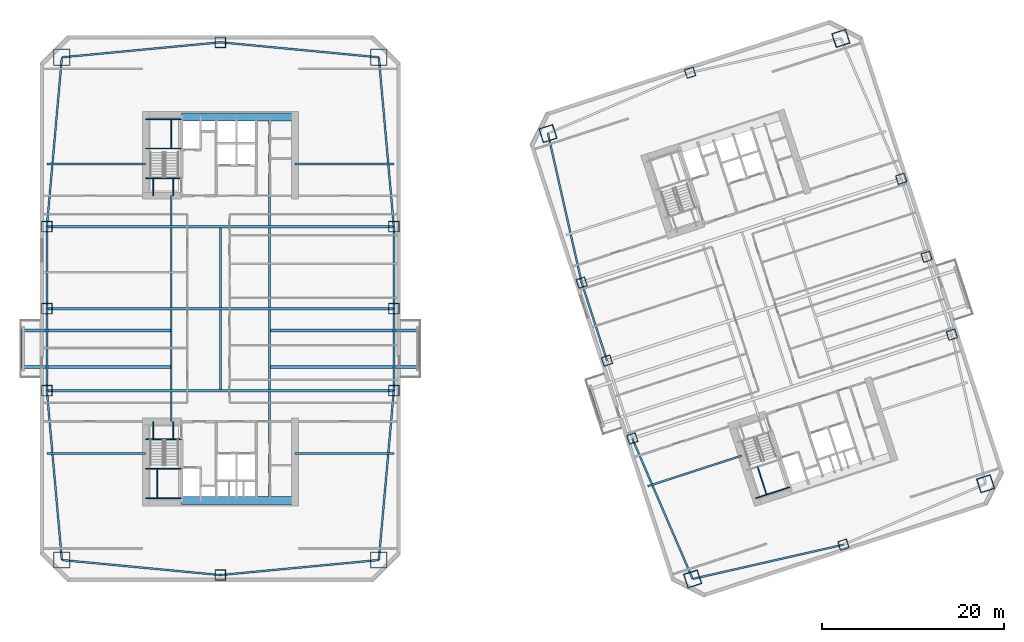
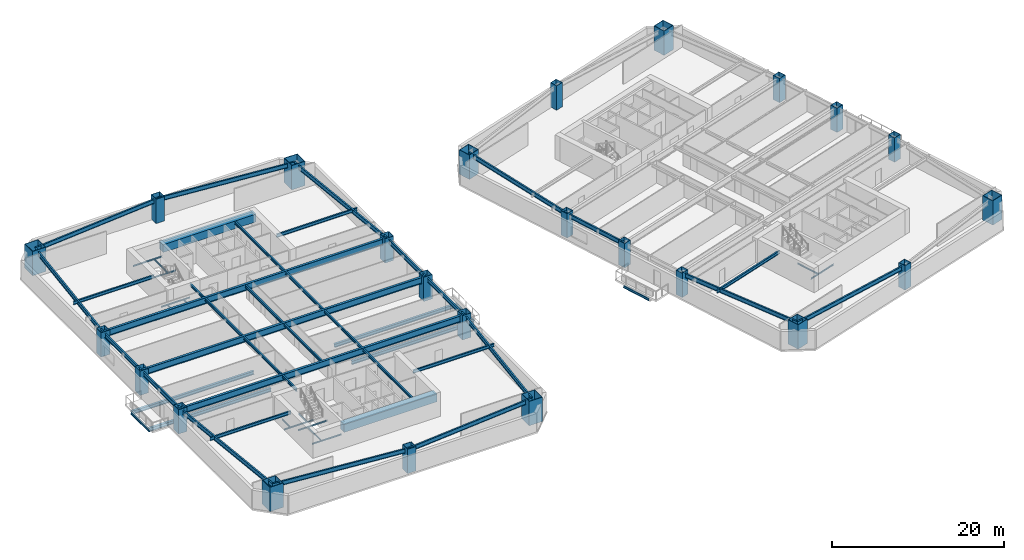
# One storey, part 1 of 15: 57 beams, 24 columns.
"""IFC4 building model written with IfcOpenShell, lengths in metres."""

from ifc_helpers import new_model, si_unit, direction, frame, origin, origin_2d, place, context, subcontext, project, spatial, rectangle, hollow_rectangle, i_section, extrude, material, material_profile, profile_set, type_object, element, save


model = new_model("IFC4")

# Units and contexts
model_context = context("Model", 3, precision=1e-05, world=origin(), true_north=direction((0.0, 1.0)))
body_context = subcontext(model_context, "Body", "Model", "MODEL_VIEW")
ifc_project = project(units=[si_unit("LENGTHUNIT", "METRE"), si_unit("AREAUNIT", "SQUARE_METRE"), si_unit("VOLUMEUNIT", "CUBIC_METRE"), si_unit("PLANEANGLEUNIT", "RADIAN"), si_unit("MASSUNIT", "GRAM", prefix="KILO")], contexts=[model_context])

# Site, building, storey
site_placement = place(None, origin())
site = spatial("IfcSite", under=ifc_project, at=site_placement, CompositionType="ELEMENT")
building_placement = place(site_placement, origin())
building = spatial("IfcBuilding", under=site, at=building_placement, Name="Qiaolan Cultural Towers", CompositionType="ELEMENT")
storey_placement = place(building_placement, frame((0.0, 0.0, 60.949951171875)))
storey = spatial("IfcBuildingStorey", under=building, at=storey_placement, Name="L14", CompositionType="ELEMENT", Elevation=60.949951171875)

# Columns
ifc_material_1 = material(Name="Steel Q355B", Category="steel")
ifc_material_profile_1 = material_profile(ifc_material_1, hollow_rectangle(XDim=1.0, YDim=1.0, WallThickness=0.035888671875, at=origin_2d()), Name="BOX1000x1000x36")
ifc_profile_set_1 = profile_set([ifc_material_profile_1], Name="Steel Q355B")
column_type_1 = type_object("IfcColumnType", Name="COL-BOX1000x1000x36", PredefinedType="COLUMN", material=ifc_profile_set_1)
for number, where, z_axis, x_axis, name in (
    (1, (75.234130859375, 19.739013671875, 0.0), (0.0, 0.0, 1.0), (0.951056516295, 0.309016994375, 0.0), "L14 T2 Perimeter Column PC-W1"),
    (2, (72.453125, 28.298583984375, 0.0), (0.0, 0.0, 1.0), (0.951056516295, 0.309016994375, 0.0), "L14 T2 Perimeter Column PC-W2"),
    (3, (69.671875, 36.858154296875, 0.0), (0.0, 0.0, 1.0), (0.951056516295, 0.309016994375, 0.0), "L14 T2 Perimeter Column PC-W3"),
    (4, (110.328125, 31.141845703125, 0.0), (0.0, 0.0, 1.0), (0.951056516295, 0.309016994375, 0.0), "L14 T2 Perimeter Column PC-E1"),
    (5, (107.546875, 39.701416015625, 0.0), (0.0, 0.0, 1.0), (0.951056516295, 0.309016994375, 0.0), "L14 T2 Perimeter Column PC-E2"),
    (6, (104.765869140625, 48.260986328125, 0.0), (0.0, 0.0, 1.0), (0.951056516295, 0.309016994375, 0.0), "L14 T2 Perimeter Column PC-E3"),
    (7, (98.420654296875, 8.083740234375, 0.0), (0.0, 0.0, 1.0), (0.951056516295, 0.309016994375, 0.0), "L14 T2 Perimeter Column PC-S0"),
    (8, (81.579345703125, 59.916259765625, 0.0), (0.0, 0.0, 1.0), (0.951056516295, 0.309016994375, 0.0), "L14 T2 Perimeter Column PC-N0"),
):
    element("IfcColumn", number, at=place(storey_placement, frame(where, z_axis=z_axis, x_axis=x_axis)), inside=storey, type_object=column_type_1, Name=name, PredefinedType="COLUMN", context=body_context, shape_type="SweptSolid", body=[
        extrude(hollow_rectangle(XDim=1.0, YDim=1.0, WallThickness=0.035888671875, at=origin_2d()), origin(), (0.0, 0.0, 1.0), 3.450927734375),
    ])
ifc_material_2 = material(Name="Steel Q390GJB", Category="steel")
ifc_material_profile_2 = material_profile(ifc_material_2, hollow_rectangle(XDim=1.14990234375, YDim=1.14990234375, WallThickness=0.0400390625, at=origin_2d()), Name="BOX1150x1150x40")
ifc_profile_set_2 = profile_set([ifc_material_profile_2], Name="Steel Q390GJB")
column_type_2 = type_object("IfcColumnType", Name="COL-BOX1150x1150x40", PredefinedType="COLUMN", material=ifc_profile_set_2)
for number, where, z_axis, x_axis, name in (
    (9, (10.949951171875, 25.0, 0.0), (0.0, 0.0, 1.0), (1.0, 0.0, 0.0), "L14 T1 Perimeter Column PC-W1"),
    (10, (10.949951171875, 34.0, 0.0), (0.0, 0.0, 1.0), (1.0, 0.0, 0.0), "L14 T1 Perimeter Column PC-W2"),
    (11, (10.949951171875, 43.0, 0.0), (0.0, 0.0, 1.0), (1.0, 0.0, 0.0), "L14 T1 Perimeter Column PC-W3"),
    (12, (49.050048828125, 25.0, 0.0), (0.0, 0.0, 1.0), (1.0, 0.0, 0.0), "L14 T1 Perimeter Column PC-E1"),
    (13, (49.050048828125, 34.0, 0.0), (0.0, 0.0, 1.0), (1.0, 0.0, 0.0), "L14 T1 Perimeter Column PC-E2"),
    (14, (49.050048828125, 43.0, 0.0), (0.0, 0.0, 1.0), (1.0, 0.0, 0.0), "L14 T1 Perimeter Column PC-E3"),
    (15, (30.0, 4.75, 0.0), (0.0, 0.0, 1.0), (1.0, 0.0, 0.0), "L14 T1 Perimeter Column PC-S0"),
    (16, (30.0, 63.25, 0.0), (0.0, 0.0, 1.0), (1.0, 0.0, 0.0), "L14 T1 Perimeter Column PC-N0"),
):
    element("IfcColumn", number, at=place(storey_placement, frame(where, z_axis=z_axis, x_axis=x_axis)), inside=storey, type_object=column_type_2, Name=name, PredefinedType="COLUMN", context=body_context, shape_type="SweptSolid", body=[
        extrude(hollow_rectangle(XDim=1.14990234375, YDim=1.14990234375, WallThickness=0.0400390625, at=origin_2d()), origin(), (0.0, 0.0, 1.0), 3.450927734375),
    ])
ifc_material_3 = material(Name="Steel Q420GJB", Category="steel")
ifc_material_profile_3 = material_profile(ifc_material_3, hollow_rectangle(XDim=1.60009765625, YDim=1.60009765625, WallThickness=0.054931640625, at=origin_2d()), Name="BOX1600x1600x55")
ifc_profile_set_3 = profile_set([ifc_material_profile_3], Name="Steel Q420GJB")
column_type_3 = type_object("IfcColumnType", Name="COL-BOX1600x1600x55", PredefinedType="COLUMN", material=ifc_profile_set_3)
for number, where, z_axis, x_axis, name in (
    (17, (81.862548828125, 4.32275390625, 0.0), (0.0, 0.0, 1.0), (0.951056516295, 0.309016994375, 0.0), "L14 T2 Perimeter Column MC-SW"),
    (18, (114.027099609375, 14.77392578125, 0.0), (0.0, 0.0, 1.0), (0.951056516295, 0.309016994375, 0.0), "L14 T2 Perimeter Column MC-SE"),
    (19, (98.137451171875, 63.67724609375, 0.0), (0.0, 0.0, 1.0), (0.951056516295, 0.309016994375, 0.0), "L14 T2 Perimeter Column MC-NE"),
    (20, (65.972900390625, 53.22607421875, 0.0), (0.0, 0.0, 1.0), (0.951056516295, 0.309016994375, 0.0), "L14 T2 Perimeter Column MC-NW"),
):
    element("IfcColumn", number, at=place(storey_placement, frame(where, z_axis=z_axis, x_axis=x_axis)), inside=storey, type_object=column_type_3, Name=name, PredefinedType="COLUMN", context=body_context, shape_type="SweptSolid", body=[
        extrude(hollow_rectangle(XDim=1.60009765625, YDim=1.60009765625, WallThickness=0.054931640625, at=origin_2d()), origin(), (0.0, 0.0, 1.0), 3.450927734375),
    ])
ifc_material_4 = material(Name="Steel Q420GJB", Category="steel")
ifc_material_profile_4 = material_profile(ifc_material_4, hollow_rectangle(XDim=1.800048828125, YDim=1.800048828125, WallThickness=0.06005859375, at=origin_2d()), Name="BOX1800x1800x60")
ifc_profile_set_4 = profile_set([ifc_material_profile_4], Name="Steel Q420GJB")
column_type_4 = type_object("IfcColumnType", Name="COL-BOX1800x1800x60", PredefinedType="COLUMN", material=ifc_profile_set_4)
for number, where, z_axis, x_axis, name in (
    (21, (12.60009765625, 6.39990234375, 0.0), (0.0, 0.0, 1.0), (1.0, 0.0, 0.0), "L14 T1 Perimeter Column MC-SW"),
    (22, (47.39990234375, 6.39990234375, 0.0), (0.0, 0.0, 1.0), (1.0, 0.0, 0.0), "L14 T1 Perimeter Column MC-SE"),
    (23, (47.39990234375, 61.60009765625, 0.0), (0.0, 0.0, 1.0), (1.0, 0.0, 0.0), "L14 T1 Perimeter Column MC-NE"),
    (24, (12.60009765625, 61.60009765625, 0.0), (0.0, 0.0, 1.0), (1.0, 0.0, 0.0), "L14 T1 Perimeter Column MC-NW"),
):
    element("IfcColumn", number, at=place(storey_placement, frame(where, z_axis=z_axis, x_axis=x_axis)), inside=storey, type_object=column_type_4, Name=name, PredefinedType="COLUMN", context=body_context, shape_type="SweptSolid", body=[
        extrude(hollow_rectangle(XDim=1.800048828125, YDim=1.800048828125, WallThickness=0.06005859375, at=origin_2d()), origin(), (0.0, 0.0, 1.0), 3.450927734375),
    ])

# Beams
ifc_material_5 = material(Name="Steel Q355B", Category="steel")
ifc_material_profile_5 = material_profile(ifc_material_5, i_section(OverallWidth=0.300048828125, OverallDepth=0.488037109375, WebThickness=0.010986328125, FlangeThickness=0.01806640625, at=origin_2d()), Name="HM488x300x11x18")
ifc_profile_set_5 = profile_set([ifc_material_profile_5], Name="Steel Q355B")
beam_type_1 = type_object("IfcBeamType", Name="BM-HM488x300x11x18", PredefinedType="BEAM", material=ifc_profile_set_5)
for number, where, z_axis, x_axis, name in (
    (25, (24.60009765625, 27.60009765625, -0.52392578125), (-1.0, 0.0, 0.0), (0.0, -1.0, 0.0), "L14 T1 Tree Balcony Back-Spanned Bracket Beam"),
    (26, (24.60009765625, 31.60009765625, -0.52392578125), (-1.0, 0.0, 0.0), (0.0, -1.0, 0.0), "L14 T1 Tree Balcony Back-Spanned Bracket Beam"),
    (27, (35.39990234375, 27.60009765625, -0.52392578125), (1.0, 0.0, 0.0), (0.0, 1.0, 0.0), "L14 T1 Tree Balcony Back-Spanned Bracket Beam"),
    (28, (35.39990234375, 31.60009765625, -0.52392578125), (1.0, 0.0, 0.0), (0.0, 1.0, 0.0), "L14 T1 Tree Balcony Back-Spanned Bracket Beam"),
):
    element("IfcBeam", number, at=place(storey_placement, frame(where, z_axis=z_axis, x_axis=x_axis)), inside=storey, type_object=beam_type_1, Name=name, PredefinedType="BEAM", context=body_context, shape_type="SweptSolid", body=[
        extrude(i_section(OverallWidth=0.300048828125, OverallDepth=0.488037109375, WebThickness=0.010986328125, FlangeThickness=0.01806640625, at=origin_2d()), origin(), (0.0, 0.0, 1.0), 16.4501953125),
    ])
ifc_material_6 = material(Name="Steel Q355B", Category="steel")
ifc_material_profile_6 = material_profile(ifc_material_6, i_section(OverallWidth=0.300048828125, OverallDepth=0.89990234375, WebThickness=0.01611328125, FlangeThickness=0.028076171875, at=origin_2d()), Name="HN900x300x16x28")
ifc_profile_set_6 = profile_set([ifc_material_profile_6], Name="Steel Q355B")
beam_type_2 = type_object("IfcBeamType", Name="BM-HN900x300x16x28", PredefinedType="BEAM", material=ifc_profile_set_6)
for number, where, z_axis, x_axis, name in (
    (29, (10.949951171875, 25.0, 2.739990234375), (1.0, 0.0, 0.0), (0.0, 1.0, 0.0), "L14 T1 Primary Transverse Girder V1"),
    (30, (10.949951171875, 34.0, 2.739990234375), (1.0, 0.0, 0.0), (0.0, 1.0, 0.0), "L14 T1 Primary Transverse Girder V2"),
    (31, (10.949951171875, 43.0, 2.739990234375), (1.0, 0.0, 0.0), (0.0, 1.0, 0.0), "L14 T1 Primary Transverse Girder V3"),
):
    element("IfcBeam", number, at=place(storey_placement, frame(where, z_axis=z_axis, x_axis=x_axis)), inside=storey, type_object=beam_type_2, Name=name, PredefinedType="BEAM", context=body_context, shape_type="SweptSolid", body=[
        extrude(i_section(OverallWidth=0.300048828125, OverallDepth=0.89990234375, WebThickness=0.01611328125, FlangeThickness=0.028076171875, at=origin_2d()), origin(), (0.0, 0.0, 1.0), 38.10009765625),
    ])
ifc_material_7 = material(Name="Steel Q355B", Category="steel")
ifc_material_profile_7 = material_profile(ifc_material_7, i_section(OverallWidth=0.175048828125, OverallDepth=0.35009765625, WebThickness=0.007080078125, FlangeThickness=0.010986328125, at=origin_2d()), Name="HN350x175x7x11")
ifc_profile_set_7 = profile_set([ifc_material_profile_7], Name="Steel Q355B")
beam_type_3 = type_object("IfcBeamType", Name="BM-JST-HN350x175x7x11", PredefinedType="JOIST", material=ifc_profile_set_7)
for number, where, z_axis, x_axis, name in (
    (32, (8.14990234375, 27.60009765625, -0.52392578125), (0.0, 1.0, 0.0), (-1.0, 0.0, 0.0), "L14 T1 Tree Balcony Outer Edge Beam"),
    (33, (51.85009765625, 27.60009765625, -0.52392578125), (0.0, 1.0, 0.0), (-1.0, 0.0, 0.0), "L14 T1 Tree Balcony Outer Edge Beam"),
    (34, (71.767822265625, 21.3466796875, -0.52392578125), (-0.309022586479, 0.951054699292, 0.0), (-0.951054699292, -0.309022586479, 0.0), "L14 T2 Tree Balcony Outer Edge Beam"),
):
    element("IfcBeam", number, at=place(storey_placement, frame(where, z_axis=z_axis, x_axis=x_axis)), inside=storey, type_object=beam_type_3, Name=name, PredefinedType="JOIST", context=body_context, shape_type="SweptSolid", body=[
        extrude(i_section(OverallWidth=0.175048828125, OverallDepth=0.35009765625, WebThickness=0.007080078125, FlangeThickness=0.010986328125, at=origin_2d()), origin(), (0.0, 0.0, 1.0), 4.0),
    ])
ifc_material_8 = material(Name="Steel Q355B", Category="steel")
ifc_material_profile_8 = material_profile(ifc_material_8, i_section(OverallWidth=0.199951171875, OverallDepth=0.39990234375, WebThickness=0.008056640625, FlangeThickness=0.012939453125, at=origin_2d()), Name="HN400x200x8x13")
ifc_profile_set_8 = profile_set([ifc_material_profile_8], Name="Steel Q355B")
beam_type_4 = type_object("IfcBeamType", Name="BM-JST-HN400x200x8x13", PredefinedType="JOIST", material=ifc_profile_set_8)
beam_1_placement = place(storey_placement, frame((24.60009765625, 21.60009765625, 2.989990234375), z_axis=(0.0, 1.0, 0.0), x_axis=(-1.0, 0.0, 0.0)))
element("IfcBeam", 35, at=beam_1_placement, inside=storey, type_object=beam_type_4, Name="L14 T1 Secondary Floor Joist U1-1", PredefinedType="JOIST", context=body_context, shape_type="SweptSolid", body=[
    extrude(i_section(OverallWidth=0.199951171875, OverallDepth=0.39990234375, WebThickness=0.008056640625, FlangeThickness=0.012939453125, at=origin_2d()), origin(), (0.0, 0.0, 1.0), 3.25),
])
for number, where, z_axis, x_axis, name in (
    (36, (24.60009765625, 25.14990234375, 2.989990234375), (0.0, 1.0, 0.0), (-1.0, 0.0, 0.0), "L14 T1 Secondary Floor Joist U1-2"),
    (37, (24.60009765625, 34.14990234375, 2.989990234375), (0.0, 1.0, 0.0), (-1.0, 0.0, 0.0), "L14 T1 Secondary Floor Joist U1-3"),
):
    element("IfcBeam", number, at=place(storey_placement, frame(where, z_axis=z_axis, x_axis=x_axis)), inside=storey, type_object=beam_type_4, Name=name, PredefinedType="JOIST", context=body_context, shape_type="SweptSolid", body=[
        extrude(i_section(OverallWidth=0.199951171875, OverallDepth=0.39990234375, WebThickness=0.008056640625, FlangeThickness=0.012939453125, at=origin_2d()), origin(), (0.0, 0.0, 1.0), 8.7001953125),
    ])
beam_2_placement = place(storey_placement, frame((24.60009765625, 43.14990234375, 2.989990234375), z_axis=(0.0, 1.0, 0.0), x_axis=(-1.0, 0.0, 0.0)))
element("IfcBeam", 38, at=beam_2_placement, inside=storey, type_object=beam_type_4, Name="L14 T1 Secondary Floor Joist U1-4", PredefinedType="JOIST", context=body_context, shape_type="SweptSolid", body=[
    extrude(i_section(OverallWidth=0.199951171875, OverallDepth=0.39990234375, WebThickness=0.008056640625, FlangeThickness=0.012939453125, at=origin_2d()), origin(), (0.0, 0.0, 1.0), 3.25),
])
for number, where, z_axis, x_axis, name in (
    (39, (30.0, 25.14990234375, 2.989990234375), (0.0, 1.0, 0.0), (-1.0, 0.0, 0.0), "L14 T1 Secondary Floor Joist U2-2"),
    (40, (30.0, 34.14990234375, 2.989990234375), (0.0, 1.0, 0.0), (-1.0, 0.0, 0.0), "L14 T1 Secondary Floor Joist U2-3"),
):
    element("IfcBeam", number, at=place(storey_placement, frame(where, z_axis=z_axis, x_axis=x_axis)), inside=storey, type_object=beam_type_4, Name=name, PredefinedType="JOIST", context=body_context, shape_type="SweptSolid", body=[
        extrude(i_section(OverallWidth=0.199951171875, OverallDepth=0.39990234375, WebThickness=0.008056640625, FlangeThickness=0.012939453125, at=origin_2d()), origin(), (0.0, 0.0, 1.0), 8.7001953125),
    ])
beam_3_placement = place(storey_placement, frame((35.39990234375, 13.39990234375, 2.989990234375), z_axis=(0.0, 1.0, 0.0), x_axis=(-1.0, 0.0, 0.0)))
element("IfcBeam", 41, at=beam_3_placement, inside=storey, type_object=beam_type_4, Name="L14 T1 Secondary Floor Joist U3-1", PredefinedType="JOIST", context=body_context, shape_type="SweptSolid", body=[
    extrude(i_section(OverallWidth=0.199951171875, OverallDepth=0.39990234375, WebThickness=0.008056640625, FlangeThickness=0.012939453125, at=origin_2d()), origin(), (0.0, 0.0, 1.0), 11.4501953125),
])
for number, where, z_axis, x_axis, name in (
    (42, (35.39990234375, 25.14990234375, 2.989990234375), (0.0, 1.0, 0.0), (-1.0, 0.0, 0.0), "L14 T1 Secondary Floor Joist U3-2"),
    (43, (35.39990234375, 34.14990234375, 2.989990234375), (0.0, 1.0, 0.0), (-1.0, 0.0, 0.0), "L14 T1 Secondary Floor Joist U3-3"),
):
    element("IfcBeam", number, at=place(storey_placement, frame(where, z_axis=z_axis, x_axis=x_axis)), inside=storey, type_object=beam_type_4, Name=name, PredefinedType="JOIST", context=body_context, shape_type="SweptSolid", body=[
        extrude(i_section(OverallWidth=0.199951171875, OverallDepth=0.39990234375, WebThickness=0.008056640625, FlangeThickness=0.012939453125, at=origin_2d()), origin(), (0.0, 0.0, 1.0), 8.7001953125),
    ])
beam_4_placement = place(storey_placement, frame((35.39990234375, 43.14990234375, 2.989990234375), z_axis=(0.0, 1.0, 0.0), x_axis=(-1.0, 0.0, 0.0)))
element("IfcBeam", 44, at=beam_4_placement, inside=storey, type_object=beam_type_4, Name="L14 T1 Secondary Floor Joist U3-4", PredefinedType="JOIST", context=body_context, shape_type="SweptSolid", body=[
    extrude(i_section(OverallWidth=0.199951171875, OverallDepth=0.39990234375, WebThickness=0.008056640625, FlangeThickness=0.012939453125, at=origin_2d()), origin(), (0.0, 0.0, 1.0), 11.4501953125),
])
ifc_material_9 = material(Name="Steel Q355B", Category="steel")
ifc_material_profile_9 = material_profile(ifc_material_9, i_section(OverallWidth=0.199951171875, OverallDepth=0.449951171875, WebThickness=0.009033203125, FlangeThickness=0.013916015625, at=origin_2d()), Name="HN450x200x9x14")
ifc_profile_set_9 = profile_set([ifc_material_profile_9], Name="Steel Q355B")
beam_type_5 = type_object("IfcBeamType", Name="BM-LNT-HN450x200x9x14", PredefinedType="LINTEL", material=ifc_profile_set_9)
for number, where, z_axis, x_axis, name in (
    (45, (21.800048828125, 18.10009765625, 2.965087890625), (-1.0, 0.0, 0.0), (0.0, -1.0, 0.0), "L14 T1 Core Flank Tie Lintel WS"),
    (46, (21.800048828125, 49.89990234375, 2.965087890625), (-1.0, 0.0, 0.0), (0.0, -1.0, 0.0), "L14 T1 Core Flank Tie Lintel WN"),
    (47, (38.199951171875, 18.10009765625, 2.965087890625), (1.0, 0.0, 0.0), (0.0, 1.0, 0.0), "L14 T1 Core Flank Tie Lintel ES"),
    (48, (38.199951171875, 49.89990234375, 2.965087890625), (1.0, 0.0, 0.0), (0.0, 1.0, 0.0), "L14 T1 Core Flank Tie Lintel EN"),
):
    element("IfcBeam", number, at=place(storey_placement, frame(where, z_axis=z_axis, x_axis=x_axis)), inside=storey, type_object=beam_type_5, Name=name, PredefinedType="LINTEL", context=body_context, shape_type="SweptSolid", body=[
        extrude(i_section(OverallWidth=0.199951171875, OverallDepth=0.449951171875, WebThickness=0.009033203125, FlangeThickness=0.013916015625, at=origin_2d()), origin(), (0.0, 0.0, 1.0), 10.85009765625),
    ])
beam_5_placement = place(storey_placement, frame((87.252685546875, 17.861083984375, 2.965087890625), z_axis=(-0.95105688584, -0.30901585703, 0.0), x_axis=(0.30901585703, -0.95105688584, 0.0)))
element("IfcBeam", 49, at=beam_5_placement, inside=storey, type_object=beam_type_5, Name="L14 T2 Core Flank Tie Lintel WS", PredefinedType="LINTEL", context=body_context, shape_type="SweptSolid", body=[
    extrude(i_section(OverallWidth=0.199951171875, OverallDepth=0.449951171875, WebThickness=0.009033203125, FlangeThickness=0.013916015625, at=origin_2d()), origin(), (0.0, 0.0, 1.0), 10.849853515625),
])
ifc_material_10 = material(Name="Concrete C50", Category="concrete")
ifc_material_profile_10 = material_profile(ifc_material_10, rectangle(XDim=0.89990234375, YDim=1.10009765625, at=origin_2d()), Name="RC900x1100")
ifc_profile_set_10 = profile_set([ifc_material_profile_10], Name="Concrete C50")
beam_type_6 = type_object("IfcBeamType", Name="BM-RC900x1100", PredefinedType="BEAM", material=ifc_profile_set_10)
for number, where, z_axis, x_axis, name in (
    (50, (25.719970703125, 12.949951171875, 2.64013671875), (1.0, 0.0, 0.0), (0.0, 1.0, 0.0), "L14 T1 Core Header Girder S"),
    (51, (25.719970703125, 55.050048828125, 2.64013671875), (1.0, 0.0, 0.0), (0.0, 1.0, 0.0), "L14 T1 Core Header Girder N"),
):
    element("IfcBeam", number, at=place(storey_placement, frame(where, z_axis=z_axis, x_axis=x_axis)), inside=storey, type_object=beam_type_6, Name=name, PredefinedType="BEAM", context=body_context, shape_type="SweptSolid", body=[
        extrude(rectangle(XDim=0.89990234375, YDim=1.10009765625, at=origin_2d()), origin(), (0.0, 0.0, 1.0), 12.47998046875),
    ])
ifc_material_11 = material(Name="Steel Q355B", Category="steel")
ifc_material_profile_11 = material_profile(ifc_material_11, i_section(OverallWidth=0.199951171875, OverallDepth=0.60009765625, WebThickness=0.010986328125, FlangeThickness=0.01708984375, at=origin_2d()), Name="HN600x200x11x17")
ifc_profile_set_11 = profile_set([ifc_material_profile_11], Name="Steel Q355B")
beam_type_7 = type_object("IfcBeamType", Name="BM-SPD-HN600x200x11x17", PredefinedType="SPANDREL", material=ifc_profile_set_11)
for number, where, z_axis, x_axis, name in (
    (52, (12.60009765625, 6.39990234375, 2.89013671875), (0.995534437156, -0.094399070104, 0.0), (0.094399070104, 0.995534437156, 0.0), "L14 T1 Perimeter Spandrel Beam 1"),
    (53, (30.0, 4.75, 2.89013671875), (0.995534437156, 0.094399070104, 0.0), (-0.094399070104, 0.995534437156, 0.0), "L14 T1 Perimeter Spandrel Beam 2"),
):
    element("IfcBeam", number, at=place(storey_placement, frame(where, z_axis=z_axis, x_axis=x_axis)), inside=storey, type_object=beam_type_7, Name=name, PredefinedType="SPANDREL", context=body_context, shape_type="SweptSolid", body=[
        extrude(i_section(OverallWidth=0.199951171875, OverallDepth=0.60009765625, WebThickness=0.010986328125, FlangeThickness=0.01708984375, at=origin_2d()), origin(), (0.0, 0.0, 1.0), 17.47802734375),
    ])
beam_6_placement = place(storey_placement, frame((47.39990234375, 6.39990234375, 2.89013671875), z_axis=(0.08837000091, 0.996087718496, 0.0), x_axis=(-0.996087718496, 0.08837000091, 0.0)))
element("IfcBeam", 54, at=beam_6_placement, inside=storey, type_object=beam_type_7, Name="L14 T1 Perimeter Spandrel Beam 3", PredefinedType="SPANDREL", context=body_context, shape_type="SweptSolid", body=[
    extrude(i_section(OverallWidth=0.199951171875, OverallDepth=0.60009765625, WebThickness=0.010986328125, FlangeThickness=0.01708984375, at=origin_2d()), origin(), (0.0, 0.0, 1.0), 18.673095703125),
])
for number, where, z_axis, x_axis, name in (
    (55, (49.050048828125, 25.0, 2.89013671875), (0.0, 1.0, 0.0), (-1.0, 0.0, 0.0), "L14 T1 Perimeter Spandrel Beam 4"),
    (56, (49.050048828125, 34.0, 2.89013671875), (0.0, 1.0, 0.0), (-1.0, 0.0, 0.0), "L14 T1 Perimeter Spandrel Beam 5"),
):
    element("IfcBeam", number, at=place(storey_placement, frame(where, z_axis=z_axis, x_axis=x_axis)), inside=storey, type_object=beam_type_7, Name=name, PredefinedType="SPANDREL", context=body_context, shape_type="SweptSolid", body=[
        extrude(i_section(OverallWidth=0.199951171875, OverallDepth=0.60009765625, WebThickness=0.010986328125, FlangeThickness=0.01708984375, at=origin_2d()), origin(), (0.0, 0.0, 1.0), 9.0),
    ])
beam_7_placement = place(storey_placement, frame((49.050048828125, 43.0, 2.89013671875), z_axis=(-0.08837000091, 0.996087718496, 0.0), x_axis=(-0.996087718496, -0.08837000091, 0.0)))
element("IfcBeam", 57, at=beam_7_placement, inside=storey, type_object=beam_type_7, Name="L14 T1 Perimeter Spandrel Beam 6", PredefinedType="SPANDREL", context=body_context, shape_type="SweptSolid", body=[
    extrude(i_section(OverallWidth=0.199951171875, OverallDepth=0.60009765625, WebThickness=0.010986328125, FlangeThickness=0.01708984375, at=origin_2d()), origin(), (0.0, 0.0, 1.0), 18.673095703125),
])
for number, where, z_axis, x_axis, name in (
    (58, (47.39990234375, 61.60009765625, 2.89013671875), (-0.995534437156, 0.094399070104, 0.0), (-0.094399070104, -0.995534437156, 0.0), "L14 T1 Perimeter Spandrel Beam 7"),
    (59, (30.0, 63.25, 2.89013671875), (-0.995534437156, -0.094399070104, 0.0), (0.094399070104, -0.995534437156, 0.0), "L14 T1 Perimeter Spandrel Beam 8"),
):
    element("IfcBeam", number, at=place(storey_placement, frame(where, z_axis=z_axis, x_axis=x_axis)), inside=storey, type_object=beam_type_7, Name=name, PredefinedType="SPANDREL", context=body_context, shape_type="SweptSolid", body=[
        extrude(i_section(OverallWidth=0.199951171875, OverallDepth=0.60009765625, WebThickness=0.010986328125, FlangeThickness=0.01708984375, at=origin_2d()), origin(), (0.0, 0.0, 1.0), 17.47802734375),
    ])
beam_8_placement = place(storey_placement, frame((12.60009765625, 61.60009765625, 2.89013671875), z_axis=(-0.08837000091, -0.996087718496, 0.0), x_axis=(0.996087718496, -0.08837000091, 0.0)))
element("IfcBeam", 60, at=beam_8_placement, inside=storey, type_object=beam_type_7, Name="L14 T1 Perimeter Spandrel Beam 9", PredefinedType="SPANDREL", context=body_context, shape_type="SweptSolid", body=[
    extrude(i_section(OverallWidth=0.199951171875, OverallDepth=0.60009765625, WebThickness=0.010986328125, FlangeThickness=0.01708984375, at=origin_2d()), origin(), (0.0, 0.0, 1.0), 18.673095703125),
])
for number, where, z_axis, x_axis, name in (
    (61, (10.949951171875, 43.0, 2.89013671875), (0.0, -1.0, 0.0), (1.0, 0.0, 0.0), "L14 T1 Perimeter Spandrel Beam 10"),
    (62, (10.949951171875, 34.0, 2.89013671875), (0.0, -1.0, 0.0), (1.0, 0.0, 0.0), "L14 T1 Perimeter Spandrel Beam 11"),
):
    element("IfcBeam", number, at=place(storey_placement, frame(where, z_axis=z_axis, x_axis=x_axis)), inside=storey, type_object=beam_type_7, Name=name, PredefinedType="SPANDREL", context=body_context, shape_type="SweptSolid", body=[
        extrude(i_section(OverallWidth=0.199951171875, OverallDepth=0.60009765625, WebThickness=0.010986328125, FlangeThickness=0.01708984375, at=origin_2d()), origin(), (0.0, 0.0, 1.0), 9.0),
    ])
beam_9_placement = place(storey_placement, frame((10.949951171875, 25.0, 2.89013671875), z_axis=(0.08837000091, -0.996087718496, 0.0), x_axis=(0.996087718496, 0.08837000091, 0.0)))
element("IfcBeam", 63, at=beam_9_placement, inside=storey, type_object=beam_type_7, Name="L14 T1 Perimeter Spandrel Beam 12", PredefinedType="SPANDREL", context=body_context, shape_type="SweptSolid", body=[
    extrude(i_section(OverallWidth=0.199951171875, OverallDepth=0.60009765625, WebThickness=0.010986328125, FlangeThickness=0.01708984375, at=origin_2d()), origin(), (0.0, 0.0, 1.0), 18.673095703125),
])
beam_10_placement = place(storey_placement, frame((81.862548828125, 4.32275390625, 2.89013671875), z_axis=(0.975161095889, 0.221496810506, 0.0), x_axis=(-0.221496810506, 0.975161095889, 0.0)))
element("IfcBeam", 64, at=beam_10_placement, inside=storey, type_object=beam_type_7, Name="L14 T2 Perimeter Spandrel Beam 1", PredefinedType="SPANDREL", context=body_context, shape_type="SweptSolid", body=[
    extrude(i_section(OverallWidth=0.199951171875, OverallDepth=0.60009765625, WebThickness=0.010986328125, FlangeThickness=0.01708984375, at=origin_2d()), origin(), (0.0, 0.0, 1.0), 16.97998046875),
])
beam_11_placement = place(storey_placement, frame((65.972900390625, 53.22607421875, 2.89013671875), z_axis=(0.220430557386, -0.975402670373, 0.0), x_axis=(0.975402670373, 0.220430557386, 0.0)))
element("IfcBeam", 65, at=beam_11_placement, inside=storey, type_object=beam_type_7, Name="L14 T2 Perimeter Spandrel Beam 9", PredefinedType="SPANDREL", context=body_context, shape_type="SweptSolid", body=[
    extrude(i_section(OverallWidth=0.199951171875, OverallDepth=0.60009765625, WebThickness=0.010986328125, FlangeThickness=0.01708984375, at=origin_2d()), origin(), (0.0, 0.0, 1.0), 16.78076171875),
])
beam_12_placement = place(storey_placement, frame((69.671875, 36.858154296875, 2.89013671875), z_axis=(0.309024734286, -0.951054001411, 0.0), x_axis=(0.951054001411, 0.309024734286, 0.0)))
element("IfcBeam", 66, at=beam_12_placement, inside=storey, type_object=beam_type_7, Name="L14 T2 Perimeter Spandrel Beam 10", PredefinedType="SPANDREL", context=body_context, shape_type="SweptSolid", body=[
    extrude(i_section(OverallWidth=0.199951171875, OverallDepth=0.60009765625, WebThickness=0.010986328125, FlangeThickness=0.01708984375, at=origin_2d()), origin(), (0.0, 0.0, 1.0), 9.0),
])
beam_13_placement = place(storey_placement, frame((75.234130859375, 19.739013671875, 2.89013671875), z_axis=(0.394998896054, -0.918681594524, 0.0), x_axis=(0.918681594524, 0.394998896054, 0.0)))
element("IfcBeam", 67, at=beam_13_placement, inside=storey, type_object=beam_type_7, Name="L14 T2 Perimeter Spandrel Beam 12", PredefinedType="SPANDREL", context=body_context, shape_type="SweptSolid", body=[
    extrude(i_section(OverallWidth=0.199951171875, OverallDepth=0.60009765625, WebThickness=0.010986328125, FlangeThickness=0.01708984375, at=origin_2d()), origin(), (0.0, 0.0, 1.0), 16.78076171875),
])
ifc_material_12 = material(Name="Steel Q355B", Category="steel")
ifc_material_profile_12 = material_profile(ifc_material_12, i_section(OverallWidth=0.10009765625, OverallDepth=0.199951171875, WebThickness=0.005615234375, FlangeThickness=0.008056640625, at=origin_2d()), Name="HN200x100x5.5x8")
ifc_profile_set_12 = profile_set([ifc_material_profile_12], Name="Steel Q355B")
beam_type_8 = type_object("IfcBeamType", Name="BM-STTRIM-200", PredefinedType="BEAM", material=ifc_profile_set_12)
beam_14_placement = place(storey_placement, frame((21.800048828125, 19.659912109375, -0.4599609375), z_axis=(1.0, 0.0, 0.0), x_axis=(0.0, 1.0, 0.0)))
element("IfcBeam", 68, at=beam_14_placement, inside=storey, type_object=beam_type_8, Name="L14 ST-W1 Floor Landing Header Beam", PredefinedType="BEAM", context=body_context, shape_type="SweptSolid", body=[
    extrude(i_section(OverallWidth=0.10009765625, OverallDepth=0.199951171875, WebThickness=0.005615234375, FlangeThickness=0.008056640625, at=origin_2d()), origin(), (0.0, 0.0, 1.0), 3.919921875),
])
for number, where, z_axis, x_axis, name in (
    (69, (22.64990234375, 21.60009765625, -0.4599609375), (0.0, -1.0, 0.0), (1.0, 0.0, 0.0), "L14 ST-W1 Floor Landing Stringer 1"),
    (70, (24.85009765625, 21.60009765625, -0.4599609375), (0.0, -1.0, 0.0), (1.0, 0.0, 0.0), "L14 ST-W1 Floor Landing Stringer 2"),
):
    element("IfcBeam", number, at=place(storey_placement, frame(where, z_axis=z_axis, x_axis=x_axis)), inside=storey, type_object=beam_type_8, Name=name, PredefinedType="BEAM", context=body_context, shape_type="SweptSolid", body=[
        extrude(i_section(OverallWidth=0.10009765625, OverallDepth=0.199951171875, WebThickness=0.005615234375, FlangeThickness=0.008056640625, at=origin_2d()), origin(), (0.0, 0.0, 1.0), 1.940185546875),
    ])
for number, where, z_axis, x_axis, name in (
    (71, (21.800048828125, 16.411376953125, 1.425048828125), (1.0, 0.0, 0.0), (0.0, 1.0, 0.0), "L14 ST-W1 Stair Landing Support Beam 1-1"),
    (72, (21.800048828125, 13.179931640625, 1.425048828125), (1.0, 0.0, 0.0), (0.0, 1.0, 0.0), "L14 ST-W1 Stair Landing Support Beam 1-2"),
):
    element("IfcBeam", number, at=place(storey_placement, frame(where, z_axis=z_axis, x_axis=x_axis)), inside=storey, type_object=beam_type_8, Name=name, PredefinedType="BEAM", context=body_context, shape_type="SweptSolid", body=[
        extrude(i_section(OverallWidth=0.10009765625, OverallDepth=0.199951171875, WebThickness=0.005615234375, FlangeThickness=0.008056640625, at=origin_2d()), origin(), (0.0, 0.0, 1.0), 3.919921875),
    ])
beam_15_placement = place(storey_placement, frame((23.070068359375, 16.411376953125, 1.425048828125), z_axis=(0.0, -1.0, 0.0), x_axis=(1.0, 0.0, 0.0)))
element("IfcBeam", 73, at=beam_15_placement, inside=storey, type_object=beam_type_8, Name="L14 ST-W1 Stair Landing Trimmer 1", PredefinedType="BEAM", context=body_context, shape_type="SweptSolid", body=[
    extrude(i_section(OverallWidth=0.10009765625, OverallDepth=0.199951171875, WebThickness=0.005615234375, FlangeThickness=0.008056640625, at=origin_2d()), origin(), (0.0, 0.0, 1.0), 3.2314453125),
])
beam_16_placement = place(storey_placement, frame((21.800048828125, 48.340087890625, -0.4599609375), z_axis=(1.0, 0.0, 0.0), x_axis=(0.0, 1.0, 0.0)))
element("IfcBeam", 74, at=beam_16_placement, inside=storey, type_object=beam_type_8, Name="L14 ST-W2 Floor Landing Header Beam", PredefinedType="BEAM", context=body_context, shape_type="SweptSolid", body=[
    extrude(i_section(OverallWidth=0.10009765625, OverallDepth=0.199951171875, WebThickness=0.005615234375, FlangeThickness=0.008056640625, at=origin_2d()), origin(), (0.0, 0.0, 1.0), 3.919921875),
])
for number, where, z_axis, x_axis, name in (
    (75, (22.64990234375, 46.39990234375, -0.4599609375), (0.0, 1.0, 0.0), (-1.0, 0.0, 0.0), "L14 ST-W2 Floor Landing Stringer 1"),
    (76, (24.85009765625, 46.39990234375, -0.4599609375), (0.0, 1.0, 0.0), (-1.0, 0.0, 0.0), "L14 ST-W2 Floor Landing Stringer 2"),
):
    element("IfcBeam", number, at=place(storey_placement, frame(where, z_axis=z_axis, x_axis=x_axis)), inside=storey, type_object=beam_type_8, Name=name, PredefinedType="BEAM", context=body_context, shape_type="SweptSolid", body=[
        extrude(i_section(OverallWidth=0.10009765625, OverallDepth=0.199951171875, WebThickness=0.005615234375, FlangeThickness=0.008056640625, at=origin_2d()), origin(), (0.0, 0.0, 1.0), 1.940185546875),
    ])
for number, where, z_axis, x_axis, name in (
    (77, (21.800048828125, 51.588623046875, 1.425048828125), (1.0, 0.0, 0.0), (0.0, 1.0, 0.0), "L14 ST-W2 Stair Landing Support Beam 1-1"),
    (78, (21.800048828125, 54.820068359375, 1.425048828125), (1.0, 0.0, 0.0), (0.0, 1.0, 0.0), "L14 ST-W2 Stair Landing Support Beam 1-2"),
):
    element("IfcBeam", number, at=place(storey_placement, frame(where, z_axis=z_axis, x_axis=x_axis)), inside=storey, type_object=beam_type_8, Name=name, PredefinedType="BEAM", context=body_context, shape_type="SweptSolid", body=[
        extrude(i_section(OverallWidth=0.10009765625, OverallDepth=0.199951171875, WebThickness=0.005615234375, FlangeThickness=0.008056640625, at=origin_2d()), origin(), (0.0, 0.0, 1.0), 3.919921875),
    ])
beam_17_placement = place(storey_placement, frame((24.610107421875, 51.588623046875, 1.425048828125), z_axis=(0.0, 1.0, 0.0), x_axis=(-1.0, 0.0, 0.0)))
element("IfcBeam", 79, at=beam_17_placement, inside=storey, type_object=beam_type_8, Name="L14 ST-W2 Stair Landing Trimmer 1", PredefinedType="BEAM", context=body_context, shape_type="SweptSolid", body=[
    extrude(i_section(OverallWidth=0.10009765625, OverallDepth=0.199951171875, WebThickness=0.005615234375, FlangeThickness=0.008056640625, at=origin_2d()), origin(), (0.0, 0.0, 1.0), 3.2314453125),
])
beam_18_placement = place(storey_placement, frame((88.773193359375, 13.181884765625, 1.425048828125), z_axis=(0.951047798727, 0.309043823005, 0.0), x_axis=(-0.309043823005, 0.951047798727, 0.0)))
element("IfcBeam", 80, at=beam_18_placement, inside=storey, type_object=beam_type_8, Name="L14 ST-E1 Stair Landing Support Beam 1-2", PredefinedType="BEAM", context=body_context, shape_type="SweptSolid", body=[
    extrude(i_section(OverallWidth=0.10009765625, OverallDepth=0.199951171875, WebThickness=0.005615234375, FlangeThickness=0.008056640625, at=origin_2d()), origin(), (0.0, 0.0, 1.0), 3.919921875),
])
beam_19_placement = place(storey_placement, frame((88.982421875, 16.6474609375, 1.425048828125), z_axis=(0.309033108495, -0.951051280349, 0.0), x_axis=(0.951051280349, 0.309033108495, 0.0)))
element("IfcBeam", 81, at=beam_19_placement, inside=storey, type_object=beam_type_8, Name="L14 ST-E1 Stair Landing Trimmer 1", PredefinedType="BEAM", context=body_context, shape_type="SweptSolid", body=[
    extrude(i_section(OverallWidth=0.10009765625, OverallDepth=0.199951171875, WebThickness=0.005615234375, FlangeThickness=0.008056640625, at=origin_2d()), origin(), (0.0, 0.0, 1.0), 3.231201171875),
])

save(model, "model.ifc")
